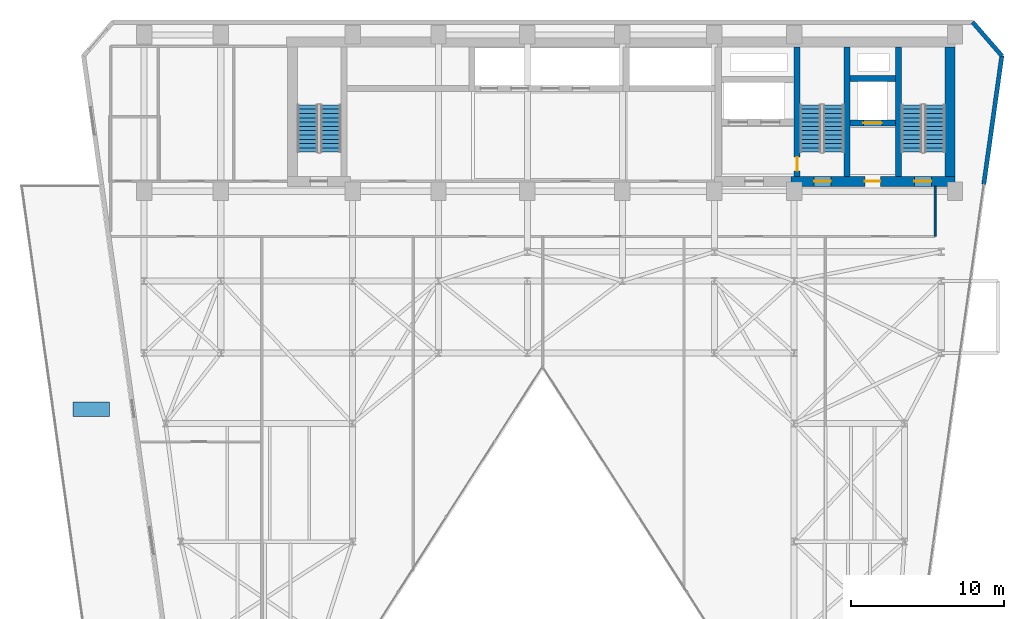
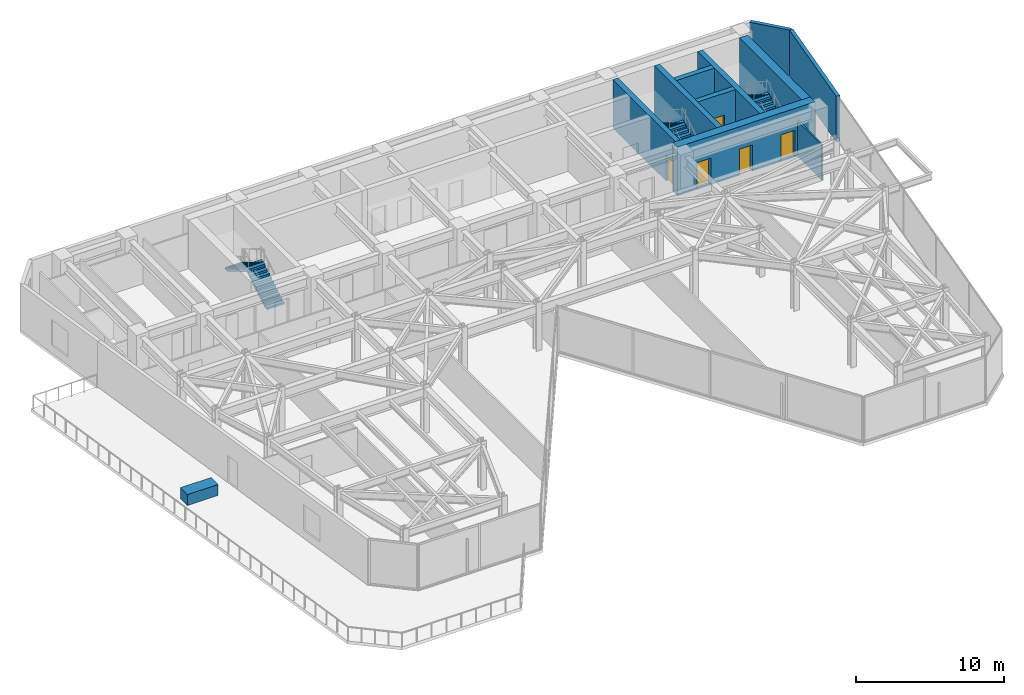
# One storey, part 21 of 24: 10 walls, 6 stair flights, 5 doors, 1 discrete accessory, 5 openings, 3 elements without a shape of their own.
"""IFC4 building model written with IfcOpenShell, lengths in metres."""

import ifcopenshell
import ifcopenshell.guid

model = None  # the IFC model being written
_history = None  # IfcOwnerHistory: only IFC2X3 demands one
_inside = {}  # id of a spatial element -> (the spatial element, [elements in it])
_under = {}  # id of a project, library or spatial element -> (it, [spatial elements below it])
_declared = {}  # id of a project -> (the project, [libraries it declares])
_typed = {}  # id of a type object -> (the type object, [elements of that type])
_made_of = {}  # id of a material, layer set ... -> (it, [elements and type objects made of it])


def new_model(schema):
    """Start an empty IFC model of exactly this schema.

    Asked for "IFC4X3", IfcOpenShell would pick the latest addendum, in which some entities
    have other attributes; the version numbers below select the first issue.
    IFC2X3 requires an IfcOwnerHistory on every rooted entity: one is made here for all.
    """
    global model, _history
    if schema == "IFC4X3":
        model = ifcopenshell.file(schema_version=(4, 3, 0, 0))
    else:
        model = ifcopenshell.file(schema=schema)
    _inside.clear()
    _under.clear()
    _declared.clear()
    _typed.clear()
    _made_of.clear()
    _history = None
    if model.schema == "IFC2X3":
        org = make("IfcOrganization", Name="unknown")
        user = make(
            "IfcPersonAndOrganization",
            ThePerson=make("IfcPerson", FamilyName="unknown"),
            TheOrganization=org,
        )
        app = make(
            "IfcApplication",
            ApplicationDeveloper=org,
            Version="unknown",
            ApplicationFullName="unknown",
            ApplicationIdentifier="unknown",
        )
        _history = make(
            "IfcOwnerHistory",
            OwningUser=user,
            OwningApplication=app,
            ChangeAction="ADDED",
            CreationDate=0,
        )
    return model


def make(cls, **values):
    """One entity of the class cls with the attributes given. An attribute that is None is left unset."""
    return model.create_entity(
        cls, **{name: value for name, value in values.items() if value is not None}
    )


def rooted(cls, **values):
    """An entity with a GlobalId (a new one), such as an element, a storey or a relation."""
    return make(cls, GlobalId=ifcopenshell.guid.new(), OwnerHistory=_history, **values)


def si_unit(unit_type, name, prefix=None):
    """IfcSIUnit, for example si_unit("LENGTHUNIT", "METRE", prefix="MILLI")."""
    return make("IfcSIUnit", UnitType=unit_type, Prefix=prefix, Name=name)


def assignment(units):
    """IfcUnitAssignment: the units of a project."""
    return None if units is None else make("IfcUnitAssignment", Units=units)


def point(xyz):
    """IfcCartesianPoint."""
    return None if xyz is None else make("IfcCartesianPoint", Coordinates=xyz)


def direction(xyz):
    """IfcDirection."""
    return None if xyz is None else make("IfcDirection", DirectionRatios=xyz)


def frame(location, z_axis=None, x_axis=None):
    """IfcAxis2Placement3D, a coordinate frame: its origin and axes. An axis left out is left unset."""
    return make(
        "IfcAxis2Placement3D",
        Location=point(location),
        Axis=direction(z_axis),
        RefDirection=direction(x_axis),
    )


def frame_2d(location, x_axis=None):
    """IfcAxis2Placement2D, a coordinate frame in the plane: its origin and x axis."""
    return make(
        "IfcAxis2Placement2D", Location=point(location), RefDirection=direction(x_axis)
    )


def origin():
    """The frame at (0, 0, 0) with its axes left unset."""
    return frame((0.0, 0.0, 0.0))


def origin_2d():
    """The frame at (0, 0) in the plane with its x axis left unset."""
    return frame_2d((0.0, 0.0))


def place(relative_to, where):
    """IfcLocalPlacement: puts the frame where relative to a parent placement (None: the world)."""
    return make(
        "IfcLocalPlacement", PlacementRelTo=relative_to, RelativePlacement=where
    )


def context(
    kind, dimensions, precision=None, world=None, true_north=None, identifier=None
):
    """IfcGeometricRepresentationContext, for example the 3D "Model" context."""
    return make(
        "IfcGeometricRepresentationContext",
        ContextIdentifier=identifier,
        ContextType=kind,
        CoordinateSpaceDimension=dimensions,
        Precision=precision,
        WorldCoordinateSystem=world,
        TrueNorth=true_north,
    )


def subcontext(parent, identifier, kind, view, scale=None):
    """IfcGeometricRepresentationSubContext, for example "Body" below "Model"."""
    return make(
        "IfcGeometricRepresentationSubContext",
        ContextIdentifier=identifier,
        ContextType=kind,
        ParentContext=parent,
        TargetScale=scale,
        TargetView=view,
    )


def project(units=None, contexts=None):
    """IfcProject with its units and contexts."""
    return rooted(
        "IfcProject",
        Name="project",
        RepresentationContexts=contexts,
        UnitsInContext=assignment(units),
    )


def spatial(cls, under=None, at=None, **own):
    """A site, building, storey or space (cls), placed at a placement, below another one or the project."""
    s = rooted(cls, ObjectPlacement=at, **own)
    if under is not None:
        _under.setdefault(under.id(), (under, []))[1].append(s)
    return s


def polyline(points):
    """IfcPolyline through the points."""
    return make("IfcPolyline", Points=[point(p) for p in points])


def profile(cls, at=None, kind="AREA", **sizes):
    """A parametric profile (cls). Its sizes go by their IFC names, for example OverallWidth=200.0."""
    return make(cls, ProfileType=kind, Position=at, **sizes)


def rectangle(**sizes):
    """IfcRectangleProfileDef."""
    return profile("IfcRectangleProfileDef", **sizes)


def outline(outer, holes=None, kind="AREA"):
    """IfcArbitraryClosedProfileDef: a profile drawn as a closed curve; with holes, ...WithVoids."""
    if holes is None:
        return make("IfcArbitraryClosedProfileDef", ProfileType=kind, OuterCurve=outer)
    return make(
        "IfcArbitraryProfileDefWithVoids",
        ProfileType=kind,
        OuterCurve=outer,
        InnerCurves=holes,
    )


def extrude(swept, where, along, depth):
    """IfcExtrudedAreaSolid: the profile swept, set in the frame where, extruded along a direction by depth."""
    return make(
        "IfcExtrudedAreaSolid",
        SweptArea=swept,
        Position=where,
        ExtrudedDirection=direction(along),
        Depth=depth,
    )


def shape(context_of_items, identifier, shape_type, items):
    """IfcShapeRepresentation: the items that make up one representation, for example the "Body"."""
    return make(
        "IfcShapeRepresentation",
        ContextOfItems=context_of_items,
        RepresentationIdentifier=identifier,
        RepresentationType=shape_type,
        Items=items,
    )


def material(Name=None, Category=None):
    """IfcMaterial."""
    return make("IfcMaterial", Name=Name, Category=Category)


def layer(
    of_material, thickness, ventilated=None, Name=None, Category=None, Priority=None
):
    """IfcMaterialLayer: one layer of a wall or slab, of a material (None: an air gap)."""
    return make(
        "IfcMaterialLayer",
        Material=of_material,
        LayerThickness=thickness,
        IsVentilated=ventilated,
        Name=Name,
        Category=Category,
        Priority=Priority,
    )


def layer_set(layers, Name=None):
    """IfcMaterialLayerSet."""
    return make("IfcMaterialLayerSet", MaterialLayers=layers, LayerSetName=Name)


def made_of(thing, what):
    """Note that an element or type object is made of a material, layer set ...; save() writes the relation."""
    if what is not None:
        _made_of.setdefault(what.id(), (what, []))[1].append(thing)
    return thing


def type_object(cls, material=None, **own):
    """A type object (cls), such as IfcWallType, which elements share."""
    return made_of(rooted(cls, **own), material)


def element(
    cls,
    number,
    at=None,
    inside=None,
    cuts=None,
    type_object=None,
    material=None,
    context=None,
    identifier="Body",
    shape_type=None,
    held_by="IfcProductDefinitionShape",
    body=None,
    shapes=None,
    **own,
):
    """One element of the class cls, such as IfcWall. Its Tag is "e" and its number.

    at: its placement. inside: the storey or other place that contains it. cuts: it is an
    opening in that element (IfcRelVoidsElement). A single representation is given by context,
    identifier, shape_type and body (its items); several are given by shapes. held_by: the class
    of the entity that holds the representations. save() writes the other relations.
    """
    e = rooted(cls, Tag="e%d" % number, ObjectPlacement=at, **own)
    if body is not None:
        shapes = [shape(context, identifier, shape_type, body)]
    if shapes is not None:
        e.Representation = make(held_by, Representations=shapes)
    if inside is not None:
        _inside.setdefault(inside.id(), (inside, []))[1].append(e)
    if cuts is not None:
        rooted(
            "IfcRelVoidsElement", RelatingBuildingElement=cuts, RelatedOpeningElement=e
        )
    if type_object is not None:
        _typed.setdefault(type_object.id(), (type_object, []))[1].append(e)
    return made_of(e, material)


def fill(opening, filler):
    """IfcRelFillsElement: the door or window that sits in an opening."""
    return rooted(
        "IfcRelFillsElement",
        RelatingOpeningElement=opening,
        RelatedBuildingElement=filler,
    )


def aggregate(whole, parts):
    """IfcRelAggregates: a whole, such as a stair, and the parts it consists of."""
    return rooted("IfcRelAggregates", RelatingObject=whole, RelatedObjects=parts)


def save(model, path):
    """Write the relations noted so far, then the file.

    IfcRelAggregates (storeys below a building ...), IfcRelContainedInSpatialStructure (elements
    in a storey), IfcRelDefinesByType, IfcRelAssociatesMaterial and IfcRelDeclares: one each for
    every whole, place, type object, material and project.
    """
    for whole, parts in _under.values():
        aggregate(whole, parts)
    for where, things in _inside.values():
        rooted(
            "IfcRelContainedInSpatialStructure",
            RelatedElements=things,
            RelatingStructure=where,
        )
    for kind, things in _typed.values():
        rooted("IfcRelDefinesByType", RelatedObjects=things, RelatingType=kind)
    for what, things in _made_of.values():
        rooted("IfcRelAssociatesMaterial", RelatedObjects=things, RelatingMaterial=what)
    for by, libraries in _declared.values():
        rooted("IfcRelDeclares", RelatingContext=by, RelatedDefinitions=libraries)
    model.write(path)


model = new_model("IFC4")

# Units and contexts
model_context = context("Model", 3, precision=1e-05, world=origin(), true_north=direction((0.0, 1.0)))
body_context = subcontext(model_context, "Body", "Model", "MODEL_VIEW")
ifc_project = project(units=[si_unit("LENGTHUNIT", "METRE"), si_unit("AREAUNIT", "SQUARE_METRE"), si_unit("VOLUMEUNIT", "CUBIC_METRE"), si_unit("PLANEANGLEUNIT", "RADIAN"), si_unit("MASSUNIT", "GRAM", prefix="KILO")], contexts=[model_context])

# Site, building, storey
site_placement = place(None, origin())
site = spatial("IfcSite", under=ifc_project, at=site_placement, CompositionType="ELEMENT")
building_placement = place(site_placement, origin())
building = spatial("IfcBuilding", under=site, at=building_placement, Name="Kravanh Interchange Tower", CompositionType="ELEMENT")
storey_placement = place(building_placement, frame((0.0, 0.0, 96.0)))
storey = spatial("IfcBuildingStorey", under=building, at=storey_placement, Name="L22", CompositionType="ELEMENT", Elevation=96.0)

# Wall
ifc_material_1 = material(Name="Double Acoustic Gypsum Board and Mineral Wool")
ifc_layer_1 = layer(ifc_material_1, 0.1201171875)
ifc_layer_set_1 = layer_set([ifc_layer_1], Name="Acoustic Office Drywall Partition 120mm")
wall_type_1 = type_object("IfcWallType", Name="Acoustic Office Drywall Partition 120mm", PredefinedType="PARTITIONING", material=ifc_layer_set_1)
wall_1_placement = place(storey_placement, frame((65.199951171875, 34.39990234375, 0.0), z_axis=(0.0, 0.0, 1.0), x_axis=(0.0, 1.0, 0.0)))
element("IfcWall", 1, at=wall_1_placement, inside=storey, type_object=wall_type_1, Name="L22 Interior Partition 13", PredefinedType="PARTITIONING", context=body_context, shape_type="SweptSolid", body=[
    extrude(rectangle(XDim=3.26708984375, YDim=0.1201171875, at=frame_2d((1.633544921875, 0.0))), origin(), (0.0, 0.0, 1.0), 2.89404296875),
])

# Wall, openings, doors
ifc_material_2 = material(Name="Concrete C70/85", Category="concrete")
ifc_layer_2 = layer(ifc_material_2, 0.64990234375)
ifc_layer_set_2 = layer_set([ifc_layer_2], Name="Core Shear Wall Concrete C70/85 650mm")
wall_type_2 = type_object("IfcWallType", Name="Core Shear Wall Concrete C70/85 650mm", PredefinedType="SHEAR", material=ifc_layer_set_2)
wall_2_placement = place(storey_placement, frame((55.800048828125, 38.0, 0.0), z_axis=(0.0, 0.0, 1.0), x_axis=(1.0, 0.0, 0.0)))
wall_2 = element("IfcWall", 2, at=wall_2_placement, inside=storey, type_object=wall_type_2, Name="L22 East Core South Shear Wall", PredefinedType="SHEAR", context=body_context, shape_type="SweptSolid", body=[
    extrude(rectangle(XDim=10.699951171875, YDim=0.64990234375, at=frame_2d((5.35009765625, 0.0))), origin(), (0.0, 0.0, 1.0), 4.0),
])
opening_1_placement = place(wall_2_placement, frame((1.5, 0.0, 0.0)))
opening_1 = element("IfcOpeningElement", 3, at=opening_1_placement, cuts=wall_2, Name="Opening D-STAIR-110", PredefinedType="OPENING", context=body_context, shape_type="SweptSolid", body=[
    extrude(rectangle(XDim=1.10009765625, YDim=2.199951171875, at=frame_2d((0.550048828125, 1.10009765625))), frame((0.0, 0.3349609375, 0.0), z_axis=(0.0, -1.0, 0.0), x_axis=(1.0, 0.0, 0.0)), (0.0, 0.0, 1.0), 0.669921875),
])
opening_2_placement = place(wall_2_placement, frame((4.820068359375, 0.0, 0.0)))
opening_2 = element("IfcOpeningElement", 4, at=opening_2_placement, cuts=wall_2, Name="Opening D-HOTEL-100", PredefinedType="OPENING", context=body_context, shape_type="SweptSolid", body=[
    extrude(rectangle(XDim=1.0, YDim=2.14990234375, at=frame_2d((0.5, 1.074951171875))), frame((0.0, 0.3349609375, 0.0), z_axis=(0.0, -1.0, 0.0), x_axis=(1.0, 0.0, 0.0)), (0.0, 0.0, 1.0), 0.669921875),
])
opening_3_placement = place(wall_2_placement, frame((8.050048828125, 0.0, 0.0)))
opening_3 = element("IfcOpeningElement", 5, at=opening_3_placement, cuts=wall_2, Name="Opening D-STAIR-110", PredefinedType="OPENING", context=body_context, shape_type="SweptSolid", body=[
    extrude(rectangle(XDim=1.10009765625, YDim=2.199951171875, at=frame_2d((0.550048828125, 1.10009765625))), frame((0.0, 0.3349609375, 0.0), z_axis=(0.0, -1.0, 0.0), x_axis=(1.0, 0.0, 0.0)), (0.0, 0.0, 1.0), 0.669921875),
])
ifc_material_3 = material(Name="Structural Steel S355", Category="steel")
door_type_1 = type_object("IfcDoorType", Name="Fire-Rated Exit Stair Door 1100x2200", OperationType="NOTDEFINED", PredefinedType="DOOR", material=ifc_material_3)
door_1_placement = place(opening_1_placement, origin())
door_1 = element("IfcDoor", 6, at=door_1_placement, inside=storey, type_object=door_type_1, Name="L22 Exit Stair ST2 Door", OperationType="SINGLE_SWING_RIGHT", OverallHeight=2.199951171875, OverallWidth=1.10009765625, PredefinedType="DOOR", context=body_context, shape_type="SweptSolid", body=[
    extrude(rectangle(XDim=1.10009765625, YDim=2.199951171875, at=frame_2d((0.550048828125, 1.10009765625))), frame((0.0, 0.02490234375, 0.0), z_axis=(0.0, -1.0, 0.0), x_axis=(1.0, 0.0, 0.0)), (0.0, 0.0, 1.0), 0.050048828125),
])
fill(opening_1, door_1)
door_2_placement = place(opening_3_placement, origin())
door_2 = element("IfcDoor", 7, at=door_2_placement, inside=storey, type_object=door_type_1, Name="L22 Exit Stair ST1 Door", OperationType="SINGLE_SWING_RIGHT", OverallHeight=2.199951171875, OverallWidth=1.10009765625, PredefinedType="DOOR", context=body_context, shape_type="SweptSolid", body=[
    extrude(rectangle(XDim=1.10009765625, YDim=2.199951171875, at=frame_2d((0.550048828125, 1.10009765625))), frame((0.0, 0.02490234375, 0.0), z_axis=(0.0, -1.0, 0.0), x_axis=(1.0, 0.0, 0.0)), (0.0, 0.0, 1.0), 0.050048828125),
])
fill(opening_3, door_2)
ifc_material_4 = material(Name="Fire-Rated Solid Timber Leaf", Category="wood")
door_type_2 = type_object("IfcDoorType", Name="Fire-Rated Suite Entrance Door 1000x2150", OperationType="NOTDEFINED", PredefinedType="DOOR", material=ifc_material_4)
door_3_placement = place(opening_2_placement, origin())
door_3 = element("IfcDoor", 8, at=door_3_placement, inside=storey, type_object=door_type_2, Name="L22 Service Lift Lobby Door", OperationType="SINGLE_SWING_RIGHT", OverallHeight=2.14990234375, OverallWidth=1.0, PredefinedType="DOOR", context=body_context, shape_type="SweptSolid", body=[
    extrude(rectangle(XDim=1.0, YDim=2.14990234375, at=frame_2d((0.5, 1.074951171875))), frame((0.0, 0.02490234375, 0.0), z_axis=(0.0, -1.0, 0.0), x_axis=(1.0, 0.0, 0.0)), (0.0, 0.0, 1.0), 0.050048828125),
])
fill(opening_2, door_3)

# Walls
wall_3_placement = place(storey_placement, frame((66.175048828125, 38.324951171875, 0.0), z_axis=(0.0, 0.0, 1.0), x_axis=(0.0, 1.0, 0.0)))
element("IfcWall", 9, at=wall_3_placement, inside=storey, type_object=wall_type_2, Name="L22 Stair ST1 East Shear Wall", PredefinedType="SHEAR", context=body_context, shape_type="SweptSolid", body=[
    extrude(rectangle(XDim=8.425048828125, YDim=0.64990234375, at=frame_2d((4.21240234375, 0.0))), origin(), (0.0, 0.0, 1.0), 4.0),
])
ifc_material_5 = material(Name="Concrete C80/95", Category="concrete")
ifc_layer_3 = layer(ifc_material_5, 0.39990234375)
ifc_layer_set_3 = layer_set([ifc_layer_3], Name="Core Shear Wall Concrete C80/95 400mm")
wall_type_3 = type_object("IfcWallType", Name="Core Shear Wall Concrete C80/95 400mm", PredefinedType="SHEAR", material=ifc_layer_set_3)
for number, where, z_axis, x_axis, name in (
    (10, (62.800048828125, 38.324951171875, 0.0), (0.0, 0.0, 1.0), (0.0, 1.0, 0.0), "L22 Stair ST1 West Shear Wall"),
    (11, (59.449951171875, 38.324951171875, 0.0), (0.0, 0.0, 1.0), (0.0, 1.0, 0.0), "L22 Stair ST2 East Shear Wall"),
):
    element("IfcWall", number, at=place(storey_placement, frame(where, z_axis=z_axis, x_axis=x_axis)), inside=storey, type_object=wall_type_3, Name=name, PredefinedType="SHEAR", context=body_context, shape_type="SweptSolid", body=[
        extrude(rectangle(XDim=8.425048828125, YDim=0.39990234375, at=frame_2d((4.21240234375, 0.0))), origin(), (0.0, 0.0, 1.0), 4.0),
    ])

# Wall, opening, door
wall_4_placement = place(storey_placement, frame((56.199951171875, 38.324951171875, 0.0), z_axis=(0.0, 0.0, 1.0), x_axis=(0.0, 1.0, 0.0)))
wall_4 = element("IfcWall", 12, at=wall_4_placement, inside=storey, type_object=wall_type_3, Name="L22 Stair ST2 West Shear Wall", PredefinedType="SHEAR", context=body_context, shape_type="SweptSolid", body=[
    extrude(rectangle(XDim=8.425048828125, YDim=0.39990234375, at=frame_2d((4.21240234375, 0.0))), origin(), (0.0, 0.0, 1.0), 4.0),
])
opening_4_placement = place(wall_4_placement, frame((0.35498046875, 0.0, 0.0)))
opening_4 = element("IfcOpeningElement", 13, at=opening_4_placement, cuts=wall_4, Name="Opening D-STAIR-90", PredefinedType="OPENING", context=body_context, shape_type="SweptSolid", body=[
    extrude(rectangle(XDim=0.89990234375, YDim=2.14990234375, at=frame_2d((0.449951171875, 1.074951171875))), frame((0.0, 0.2099609375, 0.0), z_axis=(0.0, -1.0, 0.0), x_axis=(1.0, 0.0, 0.0)), (0.0, 0.0, 1.0), 0.419921875),
])
ifc_material_6 = material(Name="Structural Steel S355", Category="steel")
door_type_3 = type_object("IfcDoorType", Name="Fire-Rated Stair Lobby Door 900x2150", OperationType="NOTDEFINED", PredefinedType="DOOR", material=ifc_material_6)
door_4_placement = place(opening_4_placement, origin())
door_4 = element("IfcDoor", 14, at=door_4_placement, inside=storey, type_object=door_type_3, Name="L22 Firefighting Lobby to Stair ST2 Door", OperationType="SINGLE_SWING_LEFT", OverallHeight=2.14990234375, OverallWidth=0.89990234375, PredefinedType="DOOR", context=body_context, shape_type="SweptSolid", body=[
    extrude(rectangle(XDim=0.89990234375, YDim=2.14990234375, at=frame_2d((0.449951171875, 1.074951171875))), frame((0.0, 0.02490234375, 0.0), z_axis=(0.0, -1.0, 0.0), x_axis=(1.0, 0.0, 0.0)), (0.0, 0.0, 1.0), 0.050048828125),
])
fill(opening_4, door_4)

wall_5_placement = place(storey_placement, frame((59.64990234375, 41.800048828125, 0.0), z_axis=(0.0, 0.0, 1.0), x_axis=(1.0, 0.0, 0.0)))
wall_5 = element("IfcWall", 15, at=wall_5_placement, inside=storey, type_object=wall_type_3, Name="L22 Service Lift Shaft South Wall", PredefinedType="SHEAR", context=body_context, shape_type="SweptSolid", body=[
    extrude(rectangle(XDim=2.9501953125, YDim=0.39990234375, at=frame_2d((1.47509765625, 0.0))), origin(), (0.0, 0.0, 1.0), 4.0),
])
opening_5_placement = place(wall_5_placement, frame((0.8701171875, 0.0, 0.0)))
opening_5 = element("IfcOpeningElement", 16, at=opening_5_placement, cuts=wall_5, Name="Opening LD02", PredefinedType="OPENING", context=body_context, shape_type="SweptSolid", body=[
    extrude(rectangle(XDim=1.199951171875, YDim=2.199951171875, at=frame_2d((0.60009765625, 1.10009765625))), frame((0.0, 0.2099609375, 0.0), z_axis=(0.0, -1.0, 0.0), x_axis=(1.0, 0.0, 0.0)), (0.0, 0.0, 1.0), 0.419921875),
])
ifc_material_7 = material(Name="Stainless Steel 316", Category="steel")
door_type_4 = type_object("IfcDoorType", Name="Fire and Service Lift Sliding Landing Door 1200x2200", OperationType="DOUBLE_DOOR_SLIDING", PredefinedType="DOOR", material=ifc_material_7)
door_5_placement = place(opening_5_placement, origin())
door_5 = element("IfcDoor", 17, at=door_5_placement, inside=storey, type_object=door_type_4, Name="L22 Lift LS-01 Landing Door", OperationType="DOUBLE_DOOR_SLIDING", OverallHeight=2.199951171875, OverallWidth=1.199951171875, PredefinedType="DOOR", context=body_context, shape_type="SweptSolid", body=[
    extrude(rectangle(XDim=1.199951171875, YDim=2.199951171875, at=frame_2d((0.60009765625, 1.10009765625))), frame((0.0, 0.02490234375, 0.0), z_axis=(0.0, -1.0, 0.0), x_axis=(1.0, 0.0, 0.0)), (0.0, 0.0, 1.0), 0.050048828125),
])
fill(opening_5, door_5)

# Walls
wall_6_placement = place(storey_placement, frame((59.64990234375, 44.699951171875, 0.0), z_axis=(0.0, 0.0, 1.0), x_axis=(1.0, 0.0, 0.0)))
element("IfcWall", 18, at=wall_6_placement, inside=storey, type_object=wall_type_3, Name="L22 Service Lift Shaft North Wall", PredefinedType="SHEAR", context=body_context, shape_type="SweptSolid", body=[
    extrude(rectangle(XDim=2.9501953125, YDim=0.39990234375, at=frame_2d((1.47509765625, 0.0))), origin(), (0.0, 0.0, 1.0), 4.0),
])
ifc_material_8 = material(Name="Insulated Precast Concrete C40/50 with Bronze Cladding", Category="concrete")
ifc_layer_4 = layer(ifc_material_8, 0.280029296875)
ifc_layer_set_4 = layer_set([ifc_layer_4], Name="Exterior Insulated Concrete C40/50 Bronze Spandrel Wall 280mm")
wall_type_4 = type_object("IfcWallType", Name="Exterior Insulated Concrete C40/50 Bronze Spandrel Wall 280mm", PredefinedType="STANDARD", material=ifc_layer_set_4)
wall_7_placement = place(storey_placement, frame((67.645263671875, 48.3798828125, 0.0), z_axis=(0.0, 0.0, 1.0), x_axis=(0.656070644076, -0.754699483226, 0.0)))
element("IfcWall", 19, at=wall_7_placement, inside=storey, type_object=wall_type_4, Name="L22 Exterior Wall 5", PredefinedType="STANDARD", context=body_context, shape_type="SweptSolid", body=[
    extrude(rectangle(XDim=2.908447265625, YDim=0.280029296875, at=frame_2d((1.4541015625, 0.0))), origin(), (0.0, 0.0, 1.0), 3.75),
])
wall_8_placement = place(storey_placement, frame((69.553466796875, 46.184814453125, 0.0), z_axis=(0.0, 0.0, 1.0), x_axis=(-0.139180610108, -0.990267013371, 0.0)))
element("IfcWall", 20, at=wall_8_placement, inside=storey, type_object=wall_type_4, Name="L22 Exterior Wall 6", PredefinedType="STANDARD", context=body_context, shape_type="SweptSolid", body=[
    extrude(rectangle(XDim=8.46728515625, YDim=0.280029296875, at=frame_2d((4.233642578125, 0.0))), origin(), (0.0, 0.0, 1.0), 3.75),
])

# Stair, stair flights
ifc_material_9 = material(Name="Concrete C50/60", Category="concrete")
stair_type = type_object("IfcStairType", Name="Core Fire Exit Dogleg Stair Concrete C50/60", PredefinedType="HALF_TURN_STAIR", material=ifc_material_9)
stair_1_placement = place(storey_placement, origin())
stair_1 = element("IfcStair", 21, at=stair_1_placement, inside=storey, type_object=stair_type, Name="L22 Exit Stair ST1", PredefinedType="HALF_TURN_STAIR")
ifc_material_10 = material(Name="Precast Concrete C50/60", Category="concrete")
ifc_layer_5 = layer(ifc_material_10, 0.199951171875)
ifc_layer_set_5 = layer_set([ifc_layer_5], Name="Precast Concrete C50/60 Stair Flight 1350mm")
stair_flight_type = type_object("IfcStairFlightType", Name="Precast Concrete C50/60 Stair Flight 1350mm", PredefinedType="STRAIGHT", material=ifc_layer_set_5)
stair_flight_1_placement = place(storey_placement, frame((65.175048828125, 39.89990234375, 0.0), z_axis=(0.0, 0.0, 1.0), x_axis=(0.0, 1.0, 0.0)))
stair_flight_1 = element("IfcStairFlight", 22, at=stair_flight_1_placement, type_object=stair_flight_type, Name="ST1 flight 1", NumberOfRisers=12, NumberOfTreads=11, PredefinedType="STRAIGHT", RiserHeight=0.166666667, TreadLength=0.28, context=body_context, shape_type="SweptSolid", body=[
    extrude(outline(polyline([(0.0, 0.0), (0.0, 0.166748046875), (0.280029296875, 0.166748046875), (0.280029296875, 0.333251953125), (0.56005859375, 0.333251953125), (0.56005859375, 0.5), (0.840087890625, 0.5), (0.840087890625, 0.666748046875), (1.1201171875, 0.666748046875), (1.1201171875, 0.833251953125), (1.39990234375, 0.833251953125), (1.39990234375, 1.0), (1.679931640625, 1.0), (1.679931640625, 1.166748046875), (1.9599609375, 1.166748046875), (1.9599609375, 1.333251953125), (2.239990234375, 1.333251953125), (2.239990234375, 1.5), (2.52001953125, 1.5), (2.52001953125, 1.666748046875), (2.800048828125, 1.666748046875), (2.800048828125, 1.833251953125), (3.080078125, 1.833251953125), (3.080078125, 2.0), (3.080078125, 1.658935546875), (0.29296875, 0.0), (0.0, 0.0)])), frame((0.0, 0.675048828125, 0.0), z_axis=(0.0, -1.0, 0.0), x_axis=(1.0, 0.0, 0.0)), (0.0, 0.0, 1.0), 1.35009765625),
])
stair_flight_2_placement = place(storey_placement, frame((63.675048828125, 42.97998046875, 2.0), z_axis=(0.0, 0.0, 1.0), x_axis=(0.0, -1.0, 0.0)))
stair_flight_2 = element("IfcStairFlight", 23, at=stair_flight_2_placement, type_object=stair_flight_type, Name="ST1 flight 2", NumberOfRisers=12, NumberOfTreads=11, PredefinedType="STRAIGHT", RiserHeight=0.166666667, TreadLength=0.28, context=body_context, shape_type="SweptSolid", body=[
    extrude(outline(polyline([(0.0, 0.0), (0.0, 0.166748046875), (0.280029296875, 0.166748046875), (0.280029296875, 0.333251953125), (0.56005859375, 0.333251953125), (0.56005859375, 0.5), (0.840087890625, 0.5), (0.840087890625, 0.666748046875), (1.1201171875, 0.666748046875), (1.1201171875, 0.833251953125), (1.39990234375, 0.833251953125), (1.39990234375, 1.0), (1.679931640625, 1.0), (1.679931640625, 1.166748046875), (1.9599609375, 1.166748046875), (1.9599609375, 1.333251953125), (2.239990234375, 1.333251953125), (2.239990234375, 1.5), (2.52001953125, 1.5), (2.52001953125, 1.666748046875), (2.800048828125, 1.666748046875), (2.800048828125, 1.833251953125), (3.080078125, 1.833251953125), (3.080078125, 2.0), (3.080078125, 1.658935546875), (0.29296875, 0.0), (0.0, 0.0)])), frame((0.0, 0.675048828125, 0.0), z_axis=(0.0, -1.0, 0.0), x_axis=(1.0, 0.0, 0.0)), (0.0, 0.0, 1.0), 1.35009765625),
])
aggregate(stair_1, [stair_flight_1, stair_flight_2])

stair_2_placement = place(storey_placement, origin())
stair_2 = element("IfcStair", 24, at=stair_2_placement, inside=storey, type_object=stair_type, Name="L22 Exit Stair ST2", PredefinedType="HALF_TURN_STAIR")
stair_flight_3_placement = place(storey_placement, frame((58.574951171875, 39.89990234375, 0.0), z_axis=(0.0, 0.0, 1.0), x_axis=(0.0, 1.0, 0.0)))
stair_flight_3 = element("IfcStairFlight", 25, at=stair_flight_3_placement, type_object=stair_flight_type, Name="ST2 flight 1", NumberOfRisers=12, NumberOfTreads=11, PredefinedType="STRAIGHT", RiserHeight=0.166666667, TreadLength=0.28, context=body_context, shape_type="SweptSolid", body=[
    extrude(outline(polyline([(0.0, 0.0), (0.0, 0.166748046875), (0.280029296875, 0.166748046875), (0.280029296875, 0.333251953125), (0.56005859375, 0.333251953125), (0.56005859375, 0.5), (0.840087890625, 0.5), (0.840087890625, 0.666748046875), (1.1201171875, 0.666748046875), (1.1201171875, 0.833251953125), (1.39990234375, 0.833251953125), (1.39990234375, 1.0), (1.679931640625, 1.0), (1.679931640625, 1.166748046875), (1.9599609375, 1.166748046875), (1.9599609375, 1.333251953125), (2.239990234375, 1.333251953125), (2.239990234375, 1.5), (2.52001953125, 1.5), (2.52001953125, 1.666748046875), (2.800048828125, 1.666748046875), (2.800048828125, 1.833251953125), (3.080078125, 1.833251953125), (3.080078125, 2.0), (3.080078125, 1.658935546875), (0.29296875, 0.0), (0.0, 0.0)])), frame((0.0, 0.675048828125, 0.0), z_axis=(0.0, -1.0, 0.0), x_axis=(1.0, 0.0, 0.0)), (0.0, 0.0, 1.0), 1.35009765625),
])
stair_flight_4_placement = place(storey_placement, frame((57.074951171875, 42.97998046875, 2.0), z_axis=(0.0, 0.0, 1.0), x_axis=(0.0, -1.0, 0.0)))
stair_flight_4 = element("IfcStairFlight", 26, at=stair_flight_4_placement, type_object=stair_flight_type, Name="ST2 flight 2", NumberOfRisers=12, NumberOfTreads=11, PredefinedType="STRAIGHT", RiserHeight=0.166666667, TreadLength=0.28, context=body_context, shape_type="SweptSolid", body=[
    extrude(outline(polyline([(0.0, 0.0), (0.0, 0.166748046875), (0.280029296875, 0.166748046875), (0.280029296875, 0.333251953125), (0.56005859375, 0.333251953125), (0.56005859375, 0.5), (0.840087890625, 0.5), (0.840087890625, 0.666748046875), (1.1201171875, 0.666748046875), (1.1201171875, 0.833251953125), (1.39990234375, 0.833251953125), (1.39990234375, 1.0), (1.679931640625, 1.0), (1.679931640625, 1.166748046875), (1.9599609375, 1.166748046875), (1.9599609375, 1.333251953125), (2.239990234375, 1.333251953125), (2.239990234375, 1.5), (2.52001953125, 1.5), (2.52001953125, 1.666748046875), (2.800048828125, 1.666748046875), (2.800048828125, 1.833251953125), (3.080078125, 1.833251953125), (3.080078125, 2.0), (3.080078125, 1.658935546875), (0.29296875, 0.0), (0.0, 0.0)])), frame((0.0, 0.675048828125, 0.0), z_axis=(0.0, -1.0, 0.0), x_axis=(1.0, 0.0, 0.0)), (0.0, 0.0, 1.0), 1.35009765625),
])
aggregate(stair_2, [stair_flight_3, stair_flight_4])

stair_3_placement = place(storey_placement, origin())
stair_3 = element("IfcStair", 27, at=stair_3_placement, inside=storey, type_object=stair_type, Name="L22 Exit Stair ST3", PredefinedType="HALF_TURN_STAIR")
stair_flight_5_placement = place(storey_placement, frame((25.77490234375, 39.89990234375, 0.0), z_axis=(0.0, 0.0, 1.0), x_axis=(0.0, 1.0, 0.0)))
stair_flight_5 = element("IfcStairFlight", 28, at=stair_flight_5_placement, type_object=stair_flight_type, Name="ST3 flight 1", NumberOfRisers=12, NumberOfTreads=11, PredefinedType="STRAIGHT", RiserHeight=0.166666667, TreadLength=0.28, context=body_context, shape_type="SweptSolid", body=[
    extrude(outline(polyline([(0.0, 0.0), (0.0, 0.166748046875), (0.280029296875, 0.166748046875), (0.280029296875, 0.333251953125), (0.56005859375, 0.333251953125), (0.56005859375, 0.5), (0.840087890625, 0.5), (0.840087890625, 0.666748046875), (1.1201171875, 0.666748046875), (1.1201171875, 0.833251953125), (1.39990234375, 0.833251953125), (1.39990234375, 1.0), (1.679931640625, 1.0), (1.679931640625, 1.166748046875), (1.9599609375, 1.166748046875), (1.9599609375, 1.333251953125), (2.239990234375, 1.333251953125), (2.239990234375, 1.5), (2.52001953125, 1.5), (2.52001953125, 1.666748046875), (2.800048828125, 1.666748046875), (2.800048828125, 1.833251953125), (3.080078125, 1.833251953125), (3.080078125, 2.0), (3.080078125, 1.658935546875), (0.29296875, 0.0), (0.0, 0.0)])), frame((0.0, 0.675048828125, 0.0), z_axis=(0.0, -1.0, 0.0), x_axis=(1.0, 0.0, 0.0)), (0.0, 0.0, 1.0), 1.35009765625),
])
stair_flight_6_placement = place(storey_placement, frame((24.27490234375, 42.97998046875, 2.0), z_axis=(0.0, 0.0, 1.0), x_axis=(0.0, -1.0, 0.0)))
stair_flight_6 = element("IfcStairFlight", 29, at=stair_flight_6_placement, type_object=stair_flight_type, Name="ST3 flight 2", NumberOfRisers=12, NumberOfTreads=11, PredefinedType="STRAIGHT", RiserHeight=0.166666667, TreadLength=0.28, context=body_context, shape_type="SweptSolid", body=[
    extrude(outline(polyline([(0.0, 0.0), (0.0, 0.166748046875), (0.280029296875, 0.166748046875), (0.280029296875, 0.333251953125), (0.56005859375, 0.333251953125), (0.56005859375, 0.5), (0.840087890625, 0.5), (0.840087890625, 0.666748046875), (1.1201171875, 0.666748046875), (1.1201171875, 0.833251953125), (1.39990234375, 0.833251953125), (1.39990234375, 1.0), (1.679931640625, 1.0), (1.679931640625, 1.166748046875), (1.9599609375, 1.166748046875), (1.9599609375, 1.333251953125), (2.239990234375, 1.333251953125), (2.239990234375, 1.5), (2.52001953125, 1.5), (2.52001953125, 1.666748046875), (2.800048828125, 1.666748046875), (2.800048828125, 1.833251953125), (3.080078125, 1.833251953125), (3.080078125, 2.0), (3.080078125, 1.658935546875), (0.29296875, 0.0), (0.0, 0.0)])), frame((0.0, 0.675048828125, 0.0), z_axis=(0.0, -1.0, 0.0), x_axis=(1.0, 0.0, 0.0)), (0.0, 0.0, 1.0), 1.35009765625),
])
aggregate(stair_3, [stair_flight_5, stair_flight_6])

# Discrete accessory
ifc_material_11 = material(Name="Architectural GRC Concrete C40/50 with Root Barrier", Category="concrete")
discrete_accessory_type = type_object("IfcDiscreteAccessoryType", Name="Stepped Terrace Tree Planter Box Concrete C40/50 2400x950x900", PredefinedType="USERDEFINED", material=ifc_material_11)
discrete_accessory_placement = place(storey_placement, frame((10.14599609375, 23.12890625, 0.0), z_axis=(0.0, 0.0, 1.0), x_axis=(1.0, 0.0, 0.0)))
element("IfcDiscreteAccessory", 30, at=discrete_accessory_placement, inside=storey, type_object=discrete_accessory_type, Name="L22 Stepped Terrace TREE PLANTER 1", ObjectType="PLANTER", PredefinedType="USERDEFINED", context=body_context, shape_type="SweptSolid", body=[
    extrude(rectangle(XDim=2.39990234375, YDim=0.949951171875, at=origin_2d()), origin(), (0.0, 0.0, 1.0), 0.89990234375),
])

save(model, "model.ifc")
